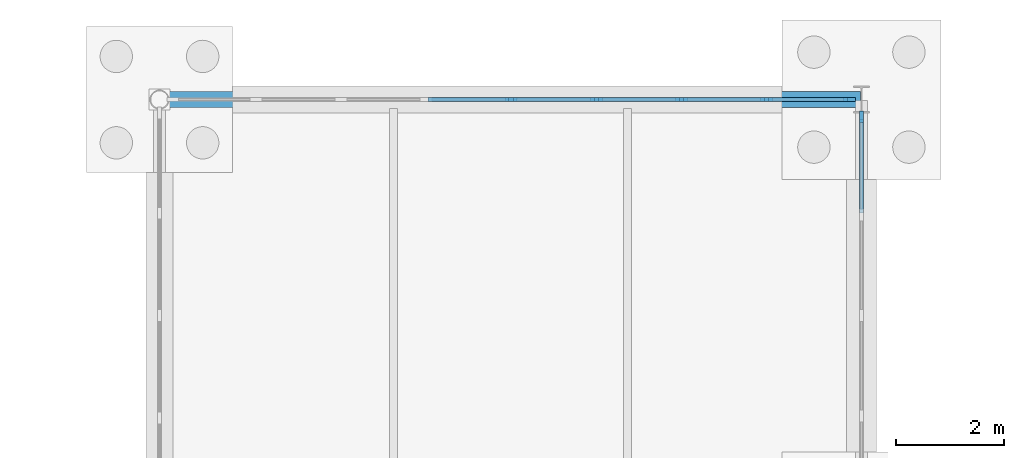
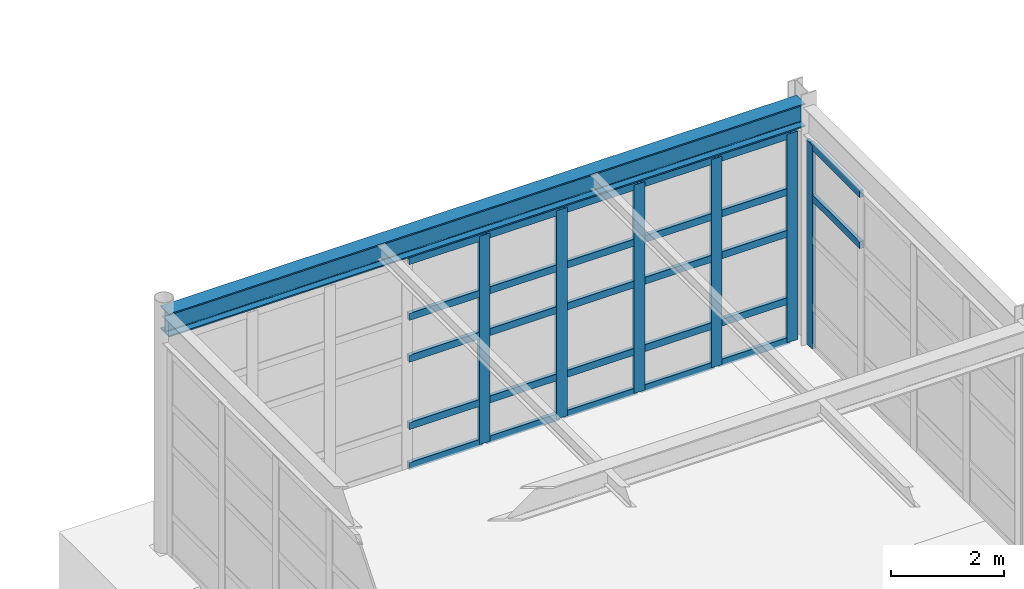
# One storey, part 55 of 145: 33 members, 1 beam, 2 elements without a shape of their own.
"""IFC4 building model written with IfcOpenShell, lengths in metres."""

from ifc_helpers import new_model, si_unit, direction, frame, origin, origin_2d, place, context, subcontext, project, spatial, rectangle, i_section, extrude, material, layer, layer_set, material_profile, profile_set, type_object, element, aggregate, save


model = new_model("IFC4")

# Units and contexts
model_context = context("Model", 3, precision=1e-05, world=origin(), true_north=direction((0.0, 1.0)))
body_context = subcontext(model_context, "Body", "Model", "MODEL_VIEW")
ifc_project = project(units=[si_unit("LENGTHUNIT", "METRE"), si_unit("AREAUNIT", "SQUARE_METRE"), si_unit("VOLUMEUNIT", "CUBIC_METRE"), si_unit("PLANEANGLEUNIT", "RADIAN"), si_unit("MASSUNIT", "GRAM", prefix="KILO"), si_unit("THERMODYNAMICTEMPERATUREUNIT", "KELVIN"), si_unit("POWERUNIT", "WATT")], contexts=[model_context])

# Site, building, storey
site_placement = place(None, origin())
site = spatial("IfcSite", under=ifc_project, at=site_placement, CompositionType="ELEMENT")
building_placement = place(site_placement, origin())
building = spatial("IfcBuilding", under=site, at=building_placement, Name="Korenveer Ferry Terminal", CompositionType="ELEMENT")
storey_placement = place(building_placement, origin())
storey = spatial("IfcBuildingStorey", under=building, at=storey_placement, Name="L00", CompositionType="ELEMENT", Elevation=0.0)

# Curtain wall, members
ifc_material_1 = material(Name="Unitised bronze-and-glass curtain wall", Category="glass")
ifc_layer_1 = layer(ifc_material_1, 0.219970703125)
ifc_layer_set_1 = layer_set([ifc_layer_1], Name="Unitised bronze-and-glass curtain wall")
curtain_wall_type_1 = type_object("IfcCurtainWallType", Name="ENV-CW-16", PredefinedType="USERDEFINED", material=ifc_layer_set_1)
curtain_wall_1_placement = place(storey_placement, frame((40.207763671875, 116.0, 0.0)))
curtain_wall_1 = element("IfcCurtainWall", 1, at=curtain_wall_1_placement, inside=storey, type_object=curtain_wall_type_1, Name="Lancet curtain wall CWX-L00-X40-53-Y116-116", ObjectType="UNITISED CURTAIN WALL", PredefinedType="USERDEFINED")
ifc_material_2 = material(Name="Anodised bronze aluminium", Category="aluminium")
ifc_material_profile_1 = material_profile(ifc_material_2, rectangle(XDim=0.074951171875, YDim=0.219970703125, at=origin_2d()), Name="ALU 75x220")
ifc_profile_set_1 = profile_set([ifc_material_profile_1], Name="Anodised bronze aluminium")
member_type_1 = type_object("IfcMemberType", Name="ENV-CWM-75X220", PredefinedType="MULLION", material=ifc_profile_set_1)
member_1_placement = place(storey_placement, frame((46.513916015625, 116.0, 0.0), z_axis=(0.0, 0.0, 1.0), x_axis=(0.0, 1.0, 0.0)))
member_1 = element("IfcMember", 2, at=member_1_placement, type_object=member_type_1, Name="CW-16 mullion 5", PredefinedType="MULLION", context=body_context, shape_type="SweptSolid", body=[
    extrude(rectangle(XDim=0.074951171875, YDim=0.219970703125, at=origin_2d()), origin(), (0.0, 0.0, 1.0), 4.489990234375),
])
member_2_placement = place(storey_placement, frame((48.09033203125, 116.0, 0.0), z_axis=(0.0, 0.0, 1.0), x_axis=(0.0, 1.0, 0.0)))
member_2 = element("IfcMember", 3, at=member_2_placement, type_object=member_type_1, Name="CW-16 mullion 6", PredefinedType="MULLION", context=body_context, shape_type="SweptSolid", body=[
    extrude(rectangle(XDim=0.074951171875, YDim=0.219970703125, at=origin_2d()), origin(), (0.0, 0.0, 1.0), 4.489990234375),
])
member_3_placement = place(storey_placement, frame((49.6669921875, 116.0, 0.0), z_axis=(0.0, 0.0, 1.0), x_axis=(0.0, 1.0, 0.0)))
member_3 = element("IfcMember", 4, at=member_3_placement, type_object=member_type_1, Name="CW-16 mullion 7", PredefinedType="MULLION", context=body_context, shape_type="SweptSolid", body=[
    extrude(rectangle(XDim=0.074951171875, YDim=0.219970703125, at=origin_2d()), origin(), (0.0, 0.0, 1.0), 4.489990234375),
])
member_4_placement = place(storey_placement, frame((51.243408203125, 116.0, 0.0), z_axis=(0.0, 0.0, 1.0), x_axis=(0.0, 1.0, 0.0)))
member_4 = element("IfcMember", 5, at=member_4_placement, type_object=member_type_1, Name="CW-16 mullion 8", PredefinedType="MULLION", context=body_context, shape_type="SweptSolid", body=[
    extrude(rectangle(XDim=0.074951171875, YDim=0.219970703125, at=origin_2d()), origin(), (0.0, 0.0, 1.0), 4.489990234375),
])
member_5_placement = place(storey_placement, frame((52.782470703125, 116.0, 0.0), z_axis=(0.0, 0.0, 1.0), x_axis=(0.0, 1.0, 0.0)))
member_5 = element("IfcMember", 6, at=member_5_placement, type_object=member_type_1, Name="CW-16 mullion 9", PredefinedType="MULLION", context=body_context, shape_type="SweptSolid", body=[
    extrude(rectangle(XDim=0.074951171875, YDim=0.219970703125, at=origin_2d()), origin(), (0.0, 0.0, 1.0), 4.489990234375),
])

# Curtain wall, member
ifc_layer_2 = layer(ifc_material_1, 0.219970703125)
ifc_layer_set_2 = layer_set([ifc_layer_2], Name="Unitised bronze-and-glass curtain wall")
curtain_wall_type_2 = type_object("IfcCurtainWallType", Name="ENV-CW-29", PredefinedType="USERDEFINED", material=ifc_layer_set_2)
curtain_wall_2_placement = place(storey_placement, frame((53.0, 115.719970703125, 0.0)))
curtain_wall_2 = element("IfcCurtainWall", 7, at=curtain_wall_2_placement, inside=storey, type_object=curtain_wall_type_2, Name="Lancet curtain wall CWX-L00-X53-53-Y108-116", ObjectType="UNITISED CURTAIN WALL", PredefinedType="USERDEFINED")
member_6_placement = place(storey_placement, frame((53.0, 115.6826171875, 0.0), z_axis=(0.0, 0.0, 1.0), x_axis=(1.0, 0.0, 0.0)))
member_6 = element("IfcMember", 8, at=member_6_placement, type_object=member_type_1, Name="CW-29 mullion 1", PredefinedType="MULLION", context=body_context, shape_type="SweptSolid", body=[
    extrude(rectangle(XDim=0.074951171875, YDim=0.219970703125, at=origin_2d()), origin(), (0.0, 0.0, 1.0), 4.389892578125),
])

# Member
ifc_material_profile_2 = material_profile(ifc_material_2, rectangle(XDim=0.074951171875, YDim=0.14990234375, at=origin_2d()), Name="ALU 75x150")
ifc_profile_set_2 = profile_set([ifc_material_profile_2], Name="Anodised bronze aluminium")
member_type_2 = type_object("IfcMemberType", Name="ENV-CWT-75X150", PredefinedType="USERDEFINED", material=ifc_profile_set_2)
member_7_placement = place(storey_placement, frame((44.974853515625, 116.0, 0.03759765625), z_axis=(1.0, 0.0, 0.0), x_axis=(0.0, 1.0, 0.0)))
member_7 = element("IfcMember", 9, at=member_7_placement, type_object=member_type_2, Name="CW-16 transom 4.1", ObjectType="TRANSOM", PredefinedType="USERDEFINED", context=body_context, shape_type="SweptSolid", body=[
    extrude(rectangle(XDim=0.074951171875, YDim=0.14990234375, at=origin_2d()), origin(), (0.0, 0.0, 1.0), 1.50146484375),
])

member_8_placement = place(storey_placement, frame((44.974853515625, 116.0, 0.89990234375), z_axis=(1.0, 0.0, 0.0), x_axis=(0.0, 1.0, 0.0)))
member_8 = element("IfcMember", 10, at=member_8_placement, type_object=member_type_2, Name="CW-16 transom 4.2", ObjectType="TRANSOM", PredefinedType="USERDEFINED", context=body_context, shape_type="SweptSolid", body=[
    extrude(rectangle(XDim=0.074951171875, YDim=0.14990234375, at=origin_2d()), origin(), (0.0, 0.0, 1.0), 1.50146484375),
])

member_9_placement = place(storey_placement, frame((44.974853515625, 116.0, 2.35009765625), z_axis=(1.0, 0.0, 0.0), x_axis=(0.0, 1.0, 0.0)))
member_9 = element("IfcMember", 11, at=member_9_placement, type_object=member_type_2, Name="CW-16 transom 4.3", ObjectType="TRANSOM", PredefinedType="USERDEFINED", context=body_context, shape_type="SweptSolid", body=[
    extrude(rectangle(XDim=0.074951171875, YDim=0.14990234375, at=origin_2d()), origin(), (0.0, 0.0, 1.0), 1.50146484375),
])

member_10_placement = place(storey_placement, frame((44.974853515625, 116.0, 3.25), z_axis=(1.0, 0.0, 0.0), x_axis=(0.0, 1.0, 0.0)))
member_10 = element("IfcMember", 12, at=member_10_placement, type_object=member_type_2, Name="CW-16 transom 4.4", ObjectType="TRANSOM", PredefinedType="USERDEFINED", context=body_context, shape_type="SweptSolid", body=[
    extrude(rectangle(XDim=0.074951171875, YDim=0.14990234375, at=origin_2d()), origin(), (0.0, 0.0, 1.0), 1.50146484375),
])

member_11_placement = place(storey_placement, frame((44.974853515625, 116.0, 4.452392578125), z_axis=(1.0, 0.0, 0.0), x_axis=(0.0, 1.0, 0.0)))
member_11 = element("IfcMember", 13, at=member_11_placement, type_object=member_type_2, Name="CW-16 transom 4.5", ObjectType="TRANSOM", PredefinedType="USERDEFINED", context=body_context, shape_type="SweptSolid", body=[
    extrude(rectangle(XDim=0.074951171875, YDim=0.14990234375, at=origin_2d()), origin(), (0.0, 0.0, 1.0), 1.50146484375),
])

member_12_placement = place(storey_placement, frame((46.551513671875, 116.0, 0.03759765625), z_axis=(1.0, 0.0, 0.0), x_axis=(0.0, 1.0, 0.0)))
member_12 = element("IfcMember", 14, at=member_12_placement, type_object=member_type_2, Name="CW-16 transom 5.1", ObjectType="TRANSOM", PredefinedType="USERDEFINED", context=body_context, shape_type="SweptSolid", body=[
    extrude(rectangle(XDim=0.074951171875, YDim=0.14990234375, at=origin_2d()), origin(), (0.0, 0.0, 1.0), 1.50146484375),
])

member_13_placement = place(storey_placement, frame((46.551513671875, 116.0, 0.89990234375), z_axis=(1.0, 0.0, 0.0), x_axis=(0.0, 1.0, 0.0)))
member_13 = element("IfcMember", 15, at=member_13_placement, type_object=member_type_2, Name="CW-16 transom 5.2", ObjectType="TRANSOM", PredefinedType="USERDEFINED", context=body_context, shape_type="SweptSolid", body=[
    extrude(rectangle(XDim=0.074951171875, YDim=0.14990234375, at=origin_2d()), origin(), (0.0, 0.0, 1.0), 1.50146484375),
])

member_14_placement = place(storey_placement, frame((46.551513671875, 116.0, 2.35009765625), z_axis=(1.0, 0.0, 0.0), x_axis=(0.0, 1.0, 0.0)))
member_14 = element("IfcMember", 16, at=member_14_placement, type_object=member_type_2, Name="CW-16 transom 5.3", ObjectType="TRANSOM", PredefinedType="USERDEFINED", context=body_context, shape_type="SweptSolid", body=[
    extrude(rectangle(XDim=0.074951171875, YDim=0.14990234375, at=origin_2d()), origin(), (0.0, 0.0, 1.0), 1.50146484375),
])

member_15_placement = place(storey_placement, frame((46.551513671875, 116.0, 3.25), z_axis=(1.0, 0.0, 0.0), x_axis=(0.0, 1.0, 0.0)))
member_15 = element("IfcMember", 17, at=member_15_placement, type_object=member_type_2, Name="CW-16 transom 5.4", ObjectType="TRANSOM", PredefinedType="USERDEFINED", context=body_context, shape_type="SweptSolid", body=[
    extrude(rectangle(XDim=0.074951171875, YDim=0.14990234375, at=origin_2d()), origin(), (0.0, 0.0, 1.0), 1.50146484375),
])

member_16_placement = place(storey_placement, frame((46.551513671875, 116.0, 4.452392578125), z_axis=(1.0, 0.0, 0.0), x_axis=(0.0, 1.0, 0.0)))
member_16 = element("IfcMember", 18, at=member_16_placement, type_object=member_type_2, Name="CW-16 transom 5.5", ObjectType="TRANSOM", PredefinedType="USERDEFINED", context=body_context, shape_type="SweptSolid", body=[
    extrude(rectangle(XDim=0.074951171875, YDim=0.14990234375, at=origin_2d()), origin(), (0.0, 0.0, 1.0), 1.50146484375),
])

member_17_placement = place(storey_placement, frame((48.1279296875, 116.0, 0.03759765625), z_axis=(1.0, 0.0, 0.0), x_axis=(0.0, 1.0, 0.0)))
member_17 = element("IfcMember", 19, at=member_17_placement, type_object=member_type_2, Name="CW-16 transom 6.1", ObjectType="TRANSOM", PredefinedType="USERDEFINED", context=body_context, shape_type="SweptSolid", body=[
    extrude(rectangle(XDim=0.074951171875, YDim=0.14990234375, at=origin_2d()), origin(), (0.0, 0.0, 1.0), 1.50146484375),
])

member_18_placement = place(storey_placement, frame((48.1279296875, 116.0, 0.89990234375), z_axis=(1.0, 0.0, 0.0), x_axis=(0.0, 1.0, 0.0)))
member_18 = element("IfcMember", 20, at=member_18_placement, type_object=member_type_2, Name="CW-16 transom 6.2", ObjectType="TRANSOM", PredefinedType="USERDEFINED", context=body_context, shape_type="SweptSolid", body=[
    extrude(rectangle(XDim=0.074951171875, YDim=0.14990234375, at=origin_2d()), origin(), (0.0, 0.0, 1.0), 1.50146484375),
])

member_19_placement = place(storey_placement, frame((48.1279296875, 116.0, 2.35009765625), z_axis=(1.0, 0.0, 0.0), x_axis=(0.0, 1.0, 0.0)))
member_19 = element("IfcMember", 21, at=member_19_placement, type_object=member_type_2, Name="CW-16 transom 6.3", ObjectType="TRANSOM", PredefinedType="USERDEFINED", context=body_context, shape_type="SweptSolid", body=[
    extrude(rectangle(XDim=0.074951171875, YDim=0.14990234375, at=origin_2d()), origin(), (0.0, 0.0, 1.0), 1.50146484375),
])

member_20_placement = place(storey_placement, frame((48.1279296875, 116.0, 3.25), z_axis=(1.0, 0.0, 0.0), x_axis=(0.0, 1.0, 0.0)))
member_20 = element("IfcMember", 22, at=member_20_placement, type_object=member_type_2, Name="CW-16 transom 6.4", ObjectType="TRANSOM", PredefinedType="USERDEFINED", context=body_context, shape_type="SweptSolid", body=[
    extrude(rectangle(XDim=0.074951171875, YDim=0.14990234375, at=origin_2d()), origin(), (0.0, 0.0, 1.0), 1.50146484375),
])

member_21_placement = place(storey_placement, frame((48.1279296875, 116.0, 4.452392578125), z_axis=(1.0, 0.0, 0.0), x_axis=(0.0, 1.0, 0.0)))
member_21 = element("IfcMember", 23, at=member_21_placement, type_object=member_type_2, Name="CW-16 transom 6.5", ObjectType="TRANSOM", PredefinedType="USERDEFINED", context=body_context, shape_type="SweptSolid", body=[
    extrude(rectangle(XDim=0.074951171875, YDim=0.14990234375, at=origin_2d()), origin(), (0.0, 0.0, 1.0), 1.50146484375),
])

member_22_placement = place(storey_placement, frame((49.704345703125, 116.0, 0.03759765625), z_axis=(1.0, 0.0, 0.0), x_axis=(0.0, 1.0, 0.0)))
member_22 = element("IfcMember", 24, at=member_22_placement, type_object=member_type_2, Name="CW-16 transom 7.1", ObjectType="TRANSOM", PredefinedType="USERDEFINED", context=body_context, shape_type="SweptSolid", body=[
    extrude(rectangle(XDim=0.074951171875, YDim=0.14990234375, at=origin_2d()), origin(), (0.0, 0.0, 1.0), 1.501708984375),
])

member_23_placement = place(storey_placement, frame((49.704345703125, 116.0, 0.89990234375), z_axis=(1.0, 0.0, 0.0), x_axis=(0.0, 1.0, 0.0)))
member_23 = element("IfcMember", 25, at=member_23_placement, type_object=member_type_2, Name="CW-16 transom 7.2", ObjectType="TRANSOM", PredefinedType="USERDEFINED", context=body_context, shape_type="SweptSolid", body=[
    extrude(rectangle(XDim=0.074951171875, YDim=0.14990234375, at=origin_2d()), origin(), (0.0, 0.0, 1.0), 1.501708984375),
])

member_24_placement = place(storey_placement, frame((49.704345703125, 116.0, 2.35009765625), z_axis=(1.0, 0.0, 0.0), x_axis=(0.0, 1.0, 0.0)))
member_24 = element("IfcMember", 26, at=member_24_placement, type_object=member_type_2, Name="CW-16 transom 7.3", ObjectType="TRANSOM", PredefinedType="USERDEFINED", context=body_context, shape_type="SweptSolid", body=[
    extrude(rectangle(XDim=0.074951171875, YDim=0.14990234375, at=origin_2d()), origin(), (0.0, 0.0, 1.0), 1.501708984375),
])

member_25_placement = place(storey_placement, frame((49.704345703125, 116.0, 3.25), z_axis=(1.0, 0.0, 0.0), x_axis=(0.0, 1.0, 0.0)))
member_25 = element("IfcMember", 27, at=member_25_placement, type_object=member_type_2, Name="CW-16 transom 7.4", ObjectType="TRANSOM", PredefinedType="USERDEFINED", context=body_context, shape_type="SweptSolid", body=[
    extrude(rectangle(XDim=0.074951171875, YDim=0.14990234375, at=origin_2d()), origin(), (0.0, 0.0, 1.0), 1.501708984375),
])

member_26_placement = place(storey_placement, frame((49.704345703125, 116.0, 4.452392578125), z_axis=(1.0, 0.0, 0.0), x_axis=(0.0, 1.0, 0.0)))
member_26 = element("IfcMember", 28, at=member_26_placement, type_object=member_type_2, Name="CW-16 transom 7.5", ObjectType="TRANSOM", PredefinedType="USERDEFINED", context=body_context, shape_type="SweptSolid", body=[
    extrude(rectangle(XDim=0.074951171875, YDim=0.14990234375, at=origin_2d()), origin(), (0.0, 0.0, 1.0), 1.501708984375),
])

member_27_placement = place(storey_placement, frame((51.281005859375, 116.0, 0.03759765625), z_axis=(1.0, 0.0, 0.0), x_axis=(0.0, 1.0, 0.0)))
member_27 = element("IfcMember", 29, at=member_27_placement, type_object=member_type_2, Name="CW-16 transom 8.1", ObjectType="TRANSOM", PredefinedType="USERDEFINED", context=body_context, shape_type="SweptSolid", body=[
    extrude(rectangle(XDim=0.074951171875, YDim=0.14990234375, at=origin_2d()), origin(), (0.0, 0.0, 1.0), 1.464111328125),
])

member_28_placement = place(storey_placement, frame((51.281005859375, 116.0, 0.89990234375), z_axis=(1.0, 0.0, 0.0), x_axis=(0.0, 1.0, 0.0)))
member_28 = element("IfcMember", 30, at=member_28_placement, type_object=member_type_2, Name="CW-16 transom 8.2", ObjectType="TRANSOM", PredefinedType="USERDEFINED", context=body_context, shape_type="SweptSolid", body=[
    extrude(rectangle(XDim=0.074951171875, YDim=0.14990234375, at=origin_2d()), origin(), (0.0, 0.0, 1.0), 1.464111328125),
])

member_29_placement = place(storey_placement, frame((51.281005859375, 116.0, 2.35009765625), z_axis=(1.0, 0.0, 0.0), x_axis=(0.0, 1.0, 0.0)))
member_29 = element("IfcMember", 31, at=member_29_placement, type_object=member_type_2, Name="CW-16 transom 8.3", ObjectType="TRANSOM", PredefinedType="USERDEFINED", context=body_context, shape_type="SweptSolid", body=[
    extrude(rectangle(XDim=0.074951171875, YDim=0.14990234375, at=origin_2d()), origin(), (0.0, 0.0, 1.0), 1.464111328125),
])

member_30_placement = place(storey_placement, frame((51.281005859375, 116.0, 3.25), z_axis=(1.0, 0.0, 0.0), x_axis=(0.0, 1.0, 0.0)))
member_30 = element("IfcMember", 32, at=member_30_placement, type_object=member_type_2, Name="CW-16 transom 8.4", ObjectType="TRANSOM", PredefinedType="USERDEFINED", context=body_context, shape_type="SweptSolid", body=[
    extrude(rectangle(XDim=0.074951171875, YDim=0.14990234375, at=origin_2d()), origin(), (0.0, 0.0, 1.0), 1.464111328125),
])

member_31_placement = place(storey_placement, frame((51.281005859375, 116.0, 4.452392578125), z_axis=(1.0, 0.0, 0.0), x_axis=(0.0, 1.0, 0.0)))
member_31 = element("IfcMember", 33, at=member_31_placement, type_object=member_type_2, Name="CW-16 transom 8.5", ObjectType="TRANSOM", PredefinedType="USERDEFINED", context=body_context, shape_type="SweptSolid", body=[
    extrude(rectangle(XDim=0.074951171875, YDim=0.14990234375, at=origin_2d()), origin(), (0.0, 0.0, 1.0), 1.464111328125),
])

aggregate(curtain_wall_1, [member_1, member_2, member_3, member_4, member_5, member_7, member_8, member_9, member_10, member_11, member_12, member_13, member_14, member_15, member_16, member_17, member_18, member_19, member_20, member_21, member_22, member_23, member_24, member_25, member_26, member_27, member_28, member_29, member_30, member_31])

member_32_placement = place(storey_placement, frame((53.0, 115.64501953125, 3.25), z_axis=(0.0, -1.0, 0.0), x_axis=(1.0, 0.0, 0.0)))
member_32 = element("IfcMember", 34, at=member_32_placement, type_object=member_type_2, Name="CW-29 transom 1.4", ObjectType="TRANSOM", PredefinedType="USERDEFINED", context=body_context, shape_type="SweptSolid", body=[
    extrude(rectangle(XDim=0.074951171875, YDim=0.14990234375, at=origin_2d()), origin(), (0.0, 0.0, 1.0), 1.74755859375),
])

member_33_placement = place(storey_placement, frame((53.0, 115.64501953125, 4.3525390625), z_axis=(0.0, -1.0, 0.0), x_axis=(1.0, 0.0, 0.0)))
member_33 = element("IfcMember", 35, at=member_33_placement, type_object=member_type_2, Name="CW-29 transom 1.5", ObjectType="TRANSOM", PredefinedType="USERDEFINED", context=body_context, shape_type="SweptSolid", body=[
    extrude(rectangle(XDim=0.074951171875, YDim=0.14990234375, at=origin_2d()), origin(), (0.0, 0.0, 1.0), 1.74755859375),
])

aggregate(curtain_wall_2, [member_6, member_32, member_33])

# Beam
ifc_material_3 = material(Name="Steel S355", Category="steel")
ifc_material_profile_3 = material_profile(ifc_material_3, i_section(OverallWidth=0.300048828125, OverallDepth=0.5, WebThickness=0.014404296875, FlangeThickness=0.028076171875, FilletRadius=0.027099609375, at=origin_2d()), Name="HEB 500")
ifc_profile_set_3 = profile_set([ifc_material_profile_3], Name="Steel S355")
beam_type = type_object("IfcBeamType", Name="STR-BM-HEB500", PredefinedType="BEAM", material=ifc_profile_set_3)
beam_placement = place(storey_placement, frame((40.02001953125, 116.0, 4.8701171875), z_axis=(1.0, 0.0, 0.0), x_axis=(0.0, 1.0, 0.0)))
element("IfcBeam", 36, at=beam_placement, inside=storey, type_object=beam_type, Name="Primary X girder BMX-L01-X40-53-Y116", PredefinedType="BEAM", context=body_context, shape_type="SweptSolid", body=[
    extrude(i_section(OverallWidth=0.300048828125, OverallDepth=0.5, WebThickness=0.014404296875, FlangeThickness=0.028076171875, FilletRadius=0.027099609375, at=origin_2d()), origin(), (0.0, 0.0, 1.0), 12.9599609375),
])

save(model, "model.ifc")
